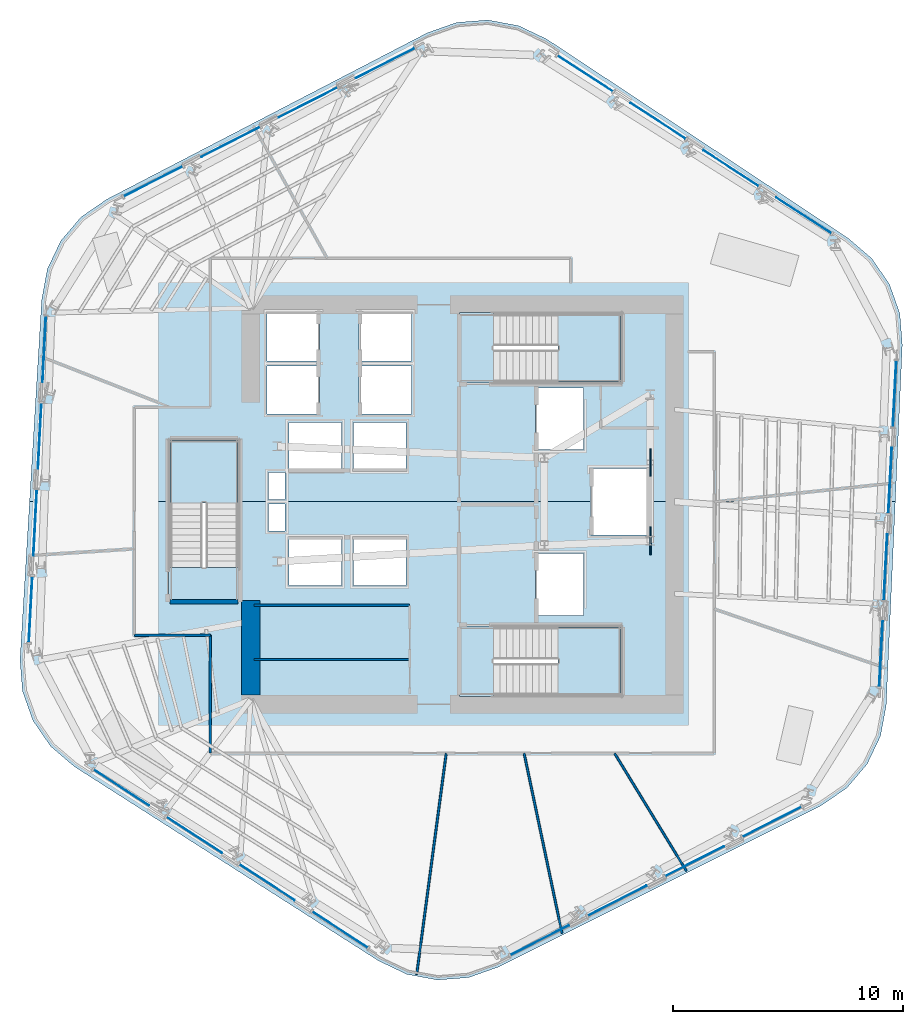
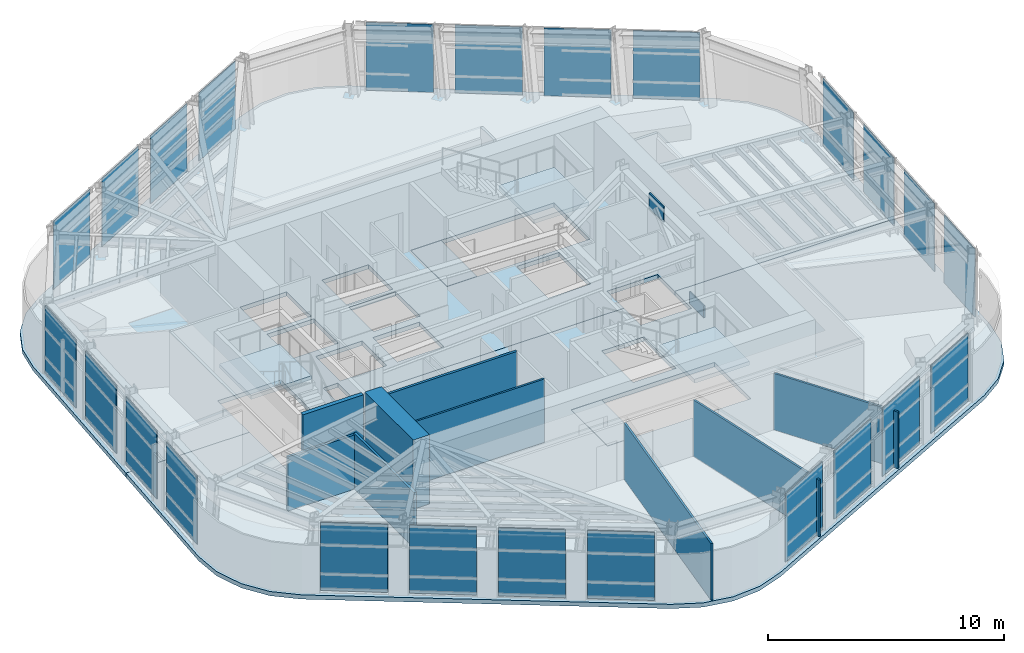
# One storey, part 6 of 14: 26 plates, 9 walls, 8 slabs, 9 elements without a shape of their own.
"""IFC4 building model written with IfcOpenShell, lengths in metres."""

from ifc_helpers import new_model, si_unit, direction, frame, frame_2d, origin, origin_2d, place, context, subcontext, project, spatial, polyline, rectangle, outline, extrude, material, layer, layer_set, type_object, element, aggregate, save


model = new_model("IFC4")

# Units and contexts
model_context = context("Model", 3, precision=1e-05, world=origin(), true_north=direction((0.0, 1.0)))
body_context = subcontext(model_context, "Body", "Model", "MODEL_VIEW")
ifc_project = project(units=[si_unit("LENGTHUNIT", "METRE"), si_unit("AREAUNIT", "SQUARE_METRE"), si_unit("VOLUMEUNIT", "CUBIC_METRE"), si_unit("PLANEANGLEUNIT", "RADIAN"), si_unit("MASSUNIT", "GRAM", prefix="KILO")], contexts=[model_context])

# Site, building, storey
site_placement = place(None, origin())
site = spatial("IfcSite", under=ifc_project, at=site_placement, CompositionType="ELEMENT")
building_placement = place(site_placement, origin())
building = spatial("IfcBuilding", under=site, at=building_placement, Name="Valkerne Bourse Tower", CompositionType="ELEMENT")
storey_placement = place(building_placement, frame((0.0, 0.0, 140.0)))
storey = spatial("IfcBuildingStorey", under=building, at=storey_placement, Name="L35", CompositionType="ELEMENT", Elevation=140.0)

# Curtain wall, plates
ifc_material_1 = material(Name="Aluminium AA 6063-T6", Category="aluminium")
ifc_layer_1 = layer(ifc_material_1, 0.235107421875)
ifc_layer_set_1 = layer_set([ifc_layer_1], Name="Aluminium AA 6063-T6")
curtain_wall_type = type_object("IfcCurtainWallType", Name="CW-03", PredefinedType="NOTDEFINED", material=ifc_layer_set_1)
curtain_wall_1_placement = place(storey_placement, origin())
curtain_wall_1 = element("IfcCurtainWall", 1, at=curtain_wall_1_placement, inside=storey, type_object=curtain_wall_type, Name="L35 Hexagonal Stick Curtain Wall Face 1", PredefinedType="NOTDEFINED")
ifc_material_2 = material(Name="Glass IGU Low-E Double Glazed", Category="glass")
ifc_layer_2 = layer(ifc_material_2, 0.031982421875)
ifc_layer_set_2 = layer_set([ifc_layer_2], Name="Glass IGU Low-E Double Glazed")
plate_type_1 = type_object("IfcPlateType", Name="CW-PNL-IGU-32", PredefinedType="CURTAIN_PANEL", material=ifc_layer_set_2)
plate_1_placement = place(storey_placement, frame((61.610595703125, 39.420654296875, 0.030029296875), z_axis=(0.0, 0.0, 1.0), x_axis=(-0.838668314411, 0.544642505137, 0.0)))
plate_1 = element("IfcPlate", 2, at=plate_1_placement, type_object=plate_type_1, Name="CW-L35-F1 Curtain Panel 00", PredefinedType="CURTAIN_PANEL", context=body_context, shape_type="SweptSolid", body=[
    extrude(rectangle(XDim=2.85107421875, YDim=0.031982421875, at=origin_2d()), origin(), (0.0, 0.0, 1.0), 3.52001953125),
])
plate_2_placement = place(storey_placement, frame((58.447998046875, 41.474365234375, 0.030029296875), z_axis=(0.0, 0.0, 1.0), x_axis=(-0.838672561028, 0.544635965924, 0.0)))
plate_2 = element("IfcPlate", 3, at=plate_2_placement, type_object=plate_type_1, Name="CW-L35-F1 Curtain Panel 01", PredefinedType="CURTAIN_PANEL", context=body_context, shape_type="SweptSolid", body=[
    extrude(rectangle(XDim=2.850830078125, YDim=0.031982421875, at=origin_2d()), origin(), (0.0, 0.0, 1.0), 3.52001953125),
])
plate_3_placement = place(storey_placement, frame((55.285400390625, 43.5283203125, 0.030029296875), z_axis=(0.0, 0.0, 1.0), x_axis=(-0.838672561028, 0.544635965924, 0.0)))
plate_3 = element("IfcPlate", 4, at=plate_3_placement, type_object=plate_type_1, Name="CW-L35-F1 Curtain Panel 02", PredefinedType="CURTAIN_PANEL", context=body_context, shape_type="SweptSolid", body=[
    extrude(rectangle(XDim=2.850830078125, YDim=0.031982421875, at=origin_2d()), origin(), (0.0, 0.0, 1.0), 3.52001953125),
])
plate_4_placement = place(storey_placement, frame((52.122802734375, 45.58203125, 0.030029296875), z_axis=(0.0, 0.0, 1.0), x_axis=(-0.838660448128, 0.544654617851, 0.0)))
plate_4 = element("IfcPlate", 5, at=plate_4_placement, type_object=plate_type_1, Name="CW-L35-F1 Curtain Panel 03", PredefinedType="CURTAIN_PANEL", context=body_context, shape_type="SweptSolid", body=[
    extrude(rectangle(XDim=2.85107421875, YDim=0.031982421875, at=origin_2d()), origin(), (0.0, 0.0, 1.0), 3.52001953125),
])
aggregate(curtain_wall_1, [plate_1, plate_2, plate_3, plate_4])

curtain_wall_2_placement = place(storey_placement, origin())
curtain_wall_2 = element("IfcCurtainWall", 6, at=curtain_wall_2_placement, inside=storey, type_object=curtain_wall_type, Name="L35 Hexagonal Stick Curtain Wall Face 2", PredefinedType="NOTDEFINED")
plate_5_placement = place(storey_placement, frame((43.44873046875, 46.03662109375, 0.030029296875), z_axis=(0.0, 0.0, 1.0), x_axis=(-0.891007115267, -0.453989339681, 0.0)))
plate_5 = element("IfcPlate", 7, at=plate_5_placement, type_object=plate_type_1, Name="CW-L35-F2 Curtain Panel 00", PredefinedType="CURTAIN_PANEL", context=body_context, shape_type="SweptSolid", body=[
    extrude(rectangle(XDim=2.85107421875, YDim=0.031982421875, at=origin_2d()), origin(), (0.0, 0.0, 1.0), 3.52001953125),
])
plate_6_placement = place(storey_placement, frame((40.0888671875, 44.32470703125, 0.030029296875), z_axis=(0.0, 0.0, 1.0), x_axis=(-0.891007115267, -0.453989339681, 0.0)))
plate_6 = element("IfcPlate", 8, at=plate_6_placement, type_object=plate_type_1, Name="CW-L35-F2 Curtain Panel 01", PredefinedType="CURTAIN_PANEL", context=body_context, shape_type="SweptSolid", body=[
    extrude(rectangle(XDim=2.85107421875, YDim=0.031982421875, at=origin_2d()), origin(), (0.0, 0.0, 1.0), 3.52001953125),
])
plate_7_placement = place(storey_placement, frame((36.728759765625, 42.61279296875, 0.030029296875), z_axis=(0.0, 0.0, 1.0), x_axis=(-0.891001649528, -0.454000066671, 0.0)))
plate_7 = element("IfcPlate", 9, at=plate_7_placement, type_object=plate_type_1, Name="CW-L35-F2 Curtain Panel 02", PredefinedType="CURTAIN_PANEL", context=body_context, shape_type="SweptSolid", body=[
    extrude(rectangle(XDim=2.850830078125, YDim=0.031982421875, at=origin_2d()), origin(), (0.0, 0.0, 1.0), 3.52001953125),
])
plate_8_placement = place(storey_placement, frame((33.368896484375, 40.900634765625, 0.030029296875), z_axis=(0.0, 0.0, 1.0), x_axis=(-0.891007115267, -0.453989339681, 0.0)))
plate_8 = element("IfcPlate", 10, at=plate_8_placement, type_object=plate_type_1, Name="CW-L35-F2 Curtain Panel 03", PredefinedType="CURTAIN_PANEL", context=body_context, shape_type="SweptSolid", body=[
    extrude(rectangle(XDim=2.85107421875, YDim=0.031982421875, at=origin_2d()), origin(), (0.0, 0.0, 1.0), 3.52001953125),
])
aggregate(curtain_wall_2, [plate_5, plate_6, plate_7, plate_8])

curtain_wall_3_placement = place(storey_placement, origin())
curtain_wall_3 = element("IfcCurtainWall", 11, at=curtain_wall_3_placement, inside=storey, type_object=curtain_wall_type, Name="L35 Hexagonal Stick Curtain Wall Face 3", PredefinedType="NOTDEFINED")
plate_9_placement = place(storey_placement, frame((28.63818359375, 33.6162109375, 0.030029296875), z_axis=(0.0, 0.0, 1.0), x_axis=(-0.052347270988, -0.99862894171, 0.0)))
plate_9 = element("IfcPlate", 12, at=plate_9_placement, type_object=plate_type_1, Name="CW-L35-F3 Curtain Panel 00", PredefinedType="CURTAIN_PANEL", context=body_context, shape_type="SweptSolid", body=[
    extrude(rectangle(XDim=2.85107421875, YDim=0.031982421875, at=origin_2d()), origin(), (0.0, 0.0, 1.0), 3.52001953125),
])
plate_10_placement = place(storey_placement, frame((28.44091796875, 29.850341796875, 0.030029296875), z_axis=(0.0, 0.0, 1.0), x_axis=(-0.052345884761, -0.998629014374, 0.0)))
plate_10 = element("IfcPlate", 13, at=plate_10_placement, type_object=plate_type_1, Name="CW-L35-F3 Curtain Panel 01", PredefinedType="CURTAIN_PANEL", context=body_context, shape_type="SweptSolid", body=[
    extrude(rectangle(XDim=2.85107421875, YDim=0.031982421875, at=origin_2d()), origin(), (0.0, 0.0, 1.0), 3.52001953125),
])
plate_11_placement = place(storey_placement, frame((28.243408203125, 26.08447265625, 0.030029296875), z_axis=(0.0, 0.0, 1.0), x_axis=(-0.052320825223, -0.998630327623, 0.0)))
plate_11 = element("IfcPlate", 14, at=plate_11_placement, type_object=plate_type_1, Name="CW-L35-F3 Curtain Panel 02", PredefinedType="CURTAIN_PANEL", context=body_context, shape_type="SweptSolid", body=[
    extrude(rectangle(XDim=2.85107421875, YDim=0.031982421875, at=origin_2d()), origin(), (0.0, 0.0, 1.0), 3.52001953125),
])
plate_12_placement = place(storey_placement, frame((28.046142578125, 22.318603515625, 0.030029296875), z_axis=(0.0, 0.0, 1.0), x_axis=(-0.052347270988, -0.99862894171, 0.0)))
plate_12 = element("IfcPlate", 15, at=plate_12_placement, type_object=plate_type_1, Name="CW-L35-F3 Curtain Panel 03", PredefinedType="CURTAIN_PANEL", context=body_context, shape_type="SweptSolid", body=[
    extrude(rectangle(XDim=2.85107421875, YDim=0.031982421875, at=origin_2d()), origin(), (0.0, 0.0, 1.0), 3.52001953125),
])
aggregate(curtain_wall_3, [plate_9, plate_10, plate_11, plate_12])

curtain_wall_4_placement = place(storey_placement, origin())
curtain_wall_4 = element("IfcCurtainWall", 16, at=curtain_wall_4_placement, inside=storey, type_object=curtain_wall_type, Name="L35 Hexagonal Stick Curtain Wall Face 4", PredefinedType="NOTDEFINED")
plate_13_placement = place(storey_placement, frame((31.989501953125, 14.579345703125, 0.030029296875), z_axis=(0.0, 0.0, 1.0), x_axis=(0.838668314411, -0.544642505137, 0.0)))
plate_13 = element("IfcPlate", 17, at=plate_13_placement, type_object=plate_type_1, Name="CW-L35-F4 Curtain Panel 00", PredefinedType="CURTAIN_PANEL", context=body_context, shape_type="SweptSolid", body=[
    extrude(rectangle(XDim=2.85107421875, YDim=0.031982421875, at=origin_2d()), origin(), (0.0, 0.0, 1.0), 3.52001953125),
])
plate_14_placement = place(storey_placement, frame((35.152099609375, 12.525390625, 0.030029296875), z_axis=(0.0, 0.0, 1.0), x_axis=(0.838672561028, -0.544635965924, 0.0)))
plate_14 = element("IfcPlate", 18, at=plate_14_placement, type_object=plate_type_1, Name="CW-L35-F4 Curtain Panel 01", PredefinedType="CURTAIN_PANEL", context=body_context, shape_type="SweptSolid", body=[
    extrude(rectangle(XDim=2.850830078125, YDim=0.031982421875, at=origin_2d()), origin(), (0.0, 0.0, 1.0), 3.52001953125),
])
plate_15_placement = place(storey_placement, frame((38.314697265625, 10.4716796875, 0.030029296875), z_axis=(0.0, 0.0, 1.0), x_axis=(0.838672561028, -0.544635965924, 0.0)))
plate_15 = element("IfcPlate", 19, at=plate_15_placement, type_object=plate_type_1, Name="CW-L35-F4 Curtain Panel 02", PredefinedType="CURTAIN_PANEL", context=body_context, shape_type="SweptSolid", body=[
    extrude(rectangle(XDim=2.850830078125, YDim=0.031982421875, at=origin_2d()), origin(), (0.0, 0.0, 1.0), 3.52001953125),
])
plate_16_placement = place(storey_placement, frame((41.477294921875, 8.41796875, 0.030029296875), z_axis=(0.0, 0.0, 1.0), x_axis=(0.838660448128, -0.544654617851, 0.0)))
plate_16 = element("IfcPlate", 20, at=plate_16_placement, type_object=plate_type_1, Name="CW-L35-F4 Curtain Panel 03", PredefinedType="CURTAIN_PANEL", context=body_context, shape_type="SweptSolid", body=[
    extrude(rectangle(XDim=2.85107421875, YDim=0.031982421875, at=origin_2d()), origin(), (0.0, 0.0, 1.0), 3.52001953125),
])
aggregate(curtain_wall_4, [plate_13, plate_14, plate_15, plate_16])

curtain_wall_5_placement = place(storey_placement, origin())
curtain_wall_5 = element("IfcCurtainWall", 21, at=curtain_wall_5_placement, inside=storey, type_object=curtain_wall_type, Name="L35 Hexagonal Stick Curtain Wall Face 5", PredefinedType="NOTDEFINED")
plate_17_placement = place(storey_placement, frame((50.1513671875, 7.96337890625, 0.030029296875), z_axis=(0.0, 0.0, 1.0), x_axis=(0.891007115267, 0.453989339681, 0.0)))
plate_17 = element("IfcPlate", 22, at=plate_17_placement, type_object=plate_type_1, Name="CW-L35-F5 Curtain Panel 00", PredefinedType="CURTAIN_PANEL", context=body_context, shape_type="SweptSolid", body=[
    extrude(rectangle(XDim=2.85107421875, YDim=0.031982421875, at=origin_2d()), origin(), (0.0, 0.0, 1.0), 3.52001953125),
])
plate_18_placement = place(storey_placement, frame((53.51123046875, 9.67529296875, 0.030029296875), z_axis=(0.0, 0.0, 1.0), x_axis=(0.891007115267, 0.453989339681, 0.0)))
plate_18 = element("IfcPlate", 23, at=plate_18_placement, type_object=plate_type_1, Name="CW-L35-F5 Curtain Panel 01", PredefinedType="CURTAIN_PANEL", context=body_context, shape_type="SweptSolid", body=[
    extrude(rectangle(XDim=2.85107421875, YDim=0.031982421875, at=origin_2d()), origin(), (0.0, 0.0, 1.0), 3.52001953125),
])
plate_19_placement = place(storey_placement, frame((56.87109375, 11.38720703125, 0.030029296875), z_axis=(0.0, 0.0, 1.0), x_axis=(0.891001649528, 0.454000066671, 0.0)))
plate_19 = element("IfcPlate", 24, at=plate_19_placement, type_object=plate_type_1, Name="CW-L35-F5 Curtain Panel 02", PredefinedType="CURTAIN_PANEL", context=body_context, shape_type="SweptSolid", body=[
    extrude(rectangle(XDim=2.850830078125, YDim=0.031982421875, at=origin_2d()), origin(), (0.0, 0.0, 1.0), 3.52001953125),
])
plate_20_placement = place(storey_placement, frame((60.231201171875, 13.099365234375, 0.030029296875), z_axis=(0.0, 0.0, 1.0), x_axis=(0.891007115267, 0.453989339681, 0.0)))
plate_20 = element("IfcPlate", 25, at=plate_20_placement, type_object=plate_type_1, Name="CW-L35-F5 Curtain Panel 03", PredefinedType="CURTAIN_PANEL", context=body_context, shape_type="SweptSolid", body=[
    extrude(rectangle(XDim=2.85107421875, YDim=0.031982421875, at=origin_2d()), origin(), (0.0, 0.0, 1.0), 3.52001953125),
])
aggregate(curtain_wall_5, [plate_17, plate_18, plate_19, plate_20])

curtain_wall_6_placement = place(storey_placement, origin())
curtain_wall_6 = element("IfcCurtainWall", 26, at=curtain_wall_6_placement, inside=storey, type_object=curtain_wall_type, Name="L35 Hexagonal Stick Curtain Wall Face 6", PredefinedType="NOTDEFINED")
plate_21_placement = place(storey_placement, frame((64.9619140625, 20.3837890625, 0.030029296875), z_axis=(0.0, 0.0, 1.0), x_axis=(0.052347270988, 0.99862894171, 0.0)))
plate_21 = element("IfcPlate", 27, at=plate_21_placement, type_object=plate_type_1, Name="CW-L35-F6 Curtain Panel 00", PredefinedType="CURTAIN_PANEL", context=body_context, shape_type="SweptSolid", body=[
    extrude(rectangle(XDim=2.85107421875, YDim=0.031982421875, at=origin_2d()), origin(), (0.0, 0.0, 1.0), 3.52001953125),
])
plate_22_placement = place(storey_placement, frame((65.1591796875, 24.149658203125, 0.030029296875), z_axis=(0.0, 0.0, 1.0), x_axis=(0.052345884761, 0.998629014374, 0.0)))
plate_22 = element("IfcPlate", 28, at=plate_22_placement, type_object=plate_type_1, Name="CW-L35-F6 Curtain Panel 01", PredefinedType="CURTAIN_PANEL", context=body_context, shape_type="SweptSolid", body=[
    extrude(rectangle(XDim=2.85107421875, YDim=0.031982421875, at=origin_2d()), origin(), (0.0, 0.0, 1.0), 3.52001953125),
])
plate_23_placement = place(storey_placement, frame((65.356689453125, 27.91552734375, 0.030029296875), z_axis=(0.0, 0.0, 1.0), x_axis=(0.052320825223, 0.998630327623, 0.0)))
plate_23 = element("IfcPlate", 29, at=plate_23_placement, type_object=plate_type_1, Name="CW-L35-F6 Curtain Panel 02", PredefinedType="CURTAIN_PANEL", context=body_context, shape_type="SweptSolid", body=[
    extrude(rectangle(XDim=2.85107421875, YDim=0.031982421875, at=origin_2d()), origin(), (0.0, 0.0, 1.0), 3.52001953125),
])
plate_24_placement = place(storey_placement, frame((65.553955078125, 31.681396484375, 0.030029296875), z_axis=(0.0, 0.0, 1.0), x_axis=(0.052347270988, 0.99862894171, 0.0)))
plate_24 = element("IfcPlate", 30, at=plate_24_placement, type_object=plate_type_1, Name="CW-L35-F6 Curtain Panel 03", PredefinedType="CURTAIN_PANEL", context=body_context, shape_type="SweptSolid", body=[
    extrude(rectangle(XDim=2.85107421875, YDim=0.031982421875, at=origin_2d()), origin(), (0.0, 0.0, 1.0), 3.52001953125),
])
aggregate(curtain_wall_6, [plate_21, plate_22, plate_23, plate_24])

# Plates
ifc_material_3 = material(Name="Steel ASTM A572 Grade 50", Category="steel")
ifc_layer_3 = layer(ifc_material_3, 0.06005859375)
ifc_layer_set_3 = layer_set([ifc_layer_3], Name="Steel ASTM A572 Grade 50")
plate_type_2 = type_object("IfcPlateType", Name="PLT-GUS-60", PredefinedType="SHEET", material=ifc_layer_set_3)
for number, where, z_axis, x_axis, name in (
    (31, (54.949951171875, 25.300048828125, -0.18017578125), (0.0, 0.0, 1.0), (0.0, 1.0, 0.0), "L35 Brace Node Gusset Plate PLT-GUS-END-L35-386"),
    (32, (54.949951171875, 28.699951171875, 2.8740234375), (0.0, 0.0, 1.0), (0.0, 1.0, 0.0), "L35 Brace Node Gusset Plate PLT-GUS-END-L35-387"),
):
    element("IfcPlate", number, at=place(storey_placement, frame(where, z_axis=z_axis, x_axis=x_axis)), inside=storey, type_object=plate_type_2, Name=name, PredefinedType="SHEET", context=body_context, shape_type="SweptSolid", body=[
        extrude(rectangle(XDim=1.199951171875, YDim=0.06005859375, at=origin_2d()), origin(), (0.0, 0.0, 1.0), 0.800048828125),
    ])

# Slabs
ifc_material_4 = material(Name="Concrete C40/50", Category="concrete")
ifc_layer_4 = layer(ifc_material_4, 0.25)
ifc_layer_set_4 = layer_set([ifc_layer_4], Name="Concrete C40/50")
slab_type_1 = type_object("IfcSlabType", Name="SLB-RMP-LND-250", PredefinedType="LANDING", material=ifc_layer_set_4)
slab_1_placement = place(storey_placement, frame((0.0, 0.0, -0.219970703125)))
element("IfcSlab", 33, at=slab_1_placement, inside=storey, type_object=slab_type_1, Name="L35 ST-1 Floor Landing Slab", PredefinedType="LANDING", context=body_context, shape_type="SweptSolid", body=[
    extrude(outline(polyline([(46.669921875, 18.5400390625), (48.14990234375, 18.5400390625), (48.14990234375, 21.610107421875), (46.669921875, 21.610107421875), (46.669921875, 18.5400390625)])), origin(), (0.0, 0.0, 1.0), 0.219970703125),
])
slab_2_placement = place(storey_placement, frame((0.0, 0.0, -0.219970703125)))
element("IfcSlab", 34, at=slab_2_placement, inside=storey, type_object=slab_type_1, Name="L35 ST-2 Floor Landing Slab", PredefinedType="LANDING", context=body_context, shape_type="SweptSolid", body=[
    extrude(outline(polyline([(46.669921875, 32.139892578125), (48.14990234375, 32.139892578125), (48.14990234375, 35.2099609375), (46.669921875, 35.2099609375), (46.669921875, 32.139892578125)])), origin(), (0.0, 0.0, 1.0), 0.219970703125),
])
slab_3_placement = place(storey_placement, frame((0.0, 0.0, -0.219970703125)))
element("IfcSlab", 35, at=slab_3_placement, inside=storey, type_object=slab_type_1, Name="L35 ST-3 Floor Landing Slab", PredefinedType="LANDING", context=body_context, shape_type="SweptSolid", body=[
    extrude(outline(polyline([(37.110107421875, 22.669921875), (37.110107421875, 24.14990234375), (34.0400390625, 24.14990234375), (34.0400390625, 22.669921875), (37.110107421875, 22.669921875)])), origin(), (0.0, 0.0, 1.0), 0.219970703125),
])

# Stair, slab
stair_type = type_object("IfcStairType", Name="ST-CORE-1400", PredefinedType="HALF_TURN_STAIR", material=ifc_material_4)
stair_1_placement = place(storey_placement, origin())
stair_1 = element("IfcStair", 36, at=stair_1_placement, inside=storey, type_object=stair_type, Name="L35 ST-1", PredefinedType="HALF_TURN_STAIR")
ifc_layer_5 = layer(ifc_material_4, 0.179931640625)
ifc_layer_set_5 = layer_set([ifc_layer_5], Name="Concrete C40/50")
slab_type_2 = type_object("IfcSlabType", Name="SLB-ST-LND-180", PredefinedType="LANDING", material=ifc_layer_set_5)
slab_4_placement = place(storey_placement, frame((0.0, 0.0, 1.699951171875)))
slab_4 = element("IfcSlab", 37, at=slab_4_placement, type_object=slab_type_2, Name="ST-1 landing 1", PredefinedType="LANDING", context=body_context, shape_type="SweptSolid", body=[
    extrude(outline(polyline([(50.949951171875, 18.60009765625), (53.64990234375, 18.60009765625), (53.64990234375, 21.550048828125), (50.949951171875, 21.550048828125), (50.949951171875, 18.60009765625)])), origin(), (0.0, 0.0, 1.0), 0.199951171875),
])
aggregate(stair_1, [slab_4])

stair_2_placement = place(storey_placement, origin())
stair_2 = element("IfcStair", 38, at=stair_2_placement, inside=storey, type_object=stair_type, Name="L35 ST-2", PredefinedType="HALF_TURN_STAIR")
slab_5_placement = place(storey_placement, frame((0.0, 0.0, 1.699951171875)))
slab_5 = element("IfcSlab", 39, at=slab_5_placement, type_object=slab_type_2, Name="ST-2 landing 1", PredefinedType="LANDING", context=body_context, shape_type="SweptSolid", body=[
    extrude(outline(polyline([(50.949951171875, 32.199951171875), (53.64990234375, 32.199951171875), (53.64990234375, 35.14990234375), (50.949951171875, 35.14990234375), (50.949951171875, 32.199951171875)])), origin(), (0.0, 0.0, 1.0), 0.199951171875),
])
aggregate(stair_2, [slab_5])

stair_3_placement = place(storey_placement, origin())
stair_3 = element("IfcStair", 40, at=stair_3_placement, inside=storey, type_object=stair_type, Name="L35 ST-3", PredefinedType="HALF_TURN_STAIR")
slab_6_placement = place(storey_placement, frame((0.0, 0.0, 1.699951171875)))
slab_6 = element("IfcSlab", 41, at=slab_6_placement, type_object=slab_type_2, Name="ST-3 landing 1", PredefinedType="LANDING", context=body_context, shape_type="SweptSolid", body=[
    extrude(outline(polyline([(37.050048828125, 26.949951171875), (37.050048828125, 29.64990234375), (34.10009765625, 29.64990234375), (34.10009765625, 26.949951171875), (37.050048828125, 26.949951171875)])), origin(), (0.0, 0.0, 1.0), 0.199951171875),
])
aggregate(stair_3, [slab_6])

# Slabs
ifc_layer_6 = layer(ifc_material_4, 0.219970703125)
ifc_layer_set_6 = layer_set([ifc_layer_6], Name="Concrete C40/50")
slab_type_3 = type_object("IfcSlabType", Name="SLB-TOW-220", PredefinedType="FLOOR", material=ifc_layer_set_6)
slab_7_placement = place(storey_placement, frame((0.0, 0.0, -0.219970703125)))
element("IfcSlab", 42, at=slab_7_placement, inside=storey, type_object=slab_type_3, Name="L35 Hexagonal Composite Floor Slab S", PredefinedType="FLOOR", context=body_context, shape_type="SweptSolid", body=[
    extrude(outline(polyline([(64.9423828125, 16.822998046875), (64.35791015625, 15.59765625), (63.476318359375, 14.5654296875), (62.357666015625, 13.796630859375), (48.344482421875, 6.79248046875), (47.06494140625, 6.33935546875), (45.711669921875, 6.23291015625), (44.376953125, 6.480224609375), (43.151611328125, 7.064697265625), (29.947509765625, 15.4951171875), (28.915283203125, 16.376708984375), (28.146240234375, 17.49560546875), (27.693115234375, 18.775146484375), (27.586669921875, 20.12841796875), (28.0, 27.0), (34.034912109375, 27.0), (34.034912109375, 22.6650390625), (37.114990234375, 22.6650390625), (37.114990234375, 27.0), (52.360107421875, 27.0), (52.360107421875, 25.56005859375), (54.840087890625, 25.56005859375), (54.840087890625, 27.0), (65.584716796875, 27.0), (65.189697265625, 18.15771484375), (64.9423828125, 16.822998046875)]), holes=[polyline([(41.5400390625, 25.43994140625), (39.260009765625, 25.43994140625), (39.260009765625, 23.360107421875), (41.5400390625, 23.360107421875), (41.5400390625, 25.43994140625)]), polyline([(44.340087890625, 25.43994140625), (42.06005859375, 25.43994140625), (42.06005859375, 23.360107421875), (44.340087890625, 23.360107421875), (44.340087890625, 25.43994140625)]), polyline([(39.10009765625, 26.89990234375), (38.3798828125, 26.89990234375), (38.3798828125, 25.72998046875), (39.10009765625, 25.72998046875), (39.10009765625, 26.89990234375)]), polyline([(53.675048828125, 21.614990234375), (46.6650390625, 21.614990234375), (46.6650390625, 18.534912109375), (53.675048828125, 18.534912109375), (53.675048828125, 21.614990234375)]), polyline([(52.0400390625, 24.739990234375), (49.9599609375, 24.739990234375), (49.9599609375, 22.06005859375), (52.0400390625, 22.06005859375), (52.0400390625, 24.739990234375)])]), origin(), (0.0, 0.0, 1.0), 0.219970703125),
])
slab_8_placement = place(storey_placement, frame((0.0, 0.0, -0.219970703125)))
element("IfcSlab", 43, at=slab_8_placement, inside=storey, type_object=slab_type_3, Name="L35 Hexagonal Composite Floor Slab N", PredefinedType="FLOOR", context=body_context, shape_type="SweptSolid", body=[
    extrude(outline(polyline([(28.527587890625, 35.76611328125), (28.77490234375, 37.100830078125), (29.359375, 38.326171875), (30.240966796875, 39.3583984375), (31.359619140625, 40.127197265625), (45.2626953125, 47.34716796875), (46.54248046875, 47.80029296875), (47.895751953125, 47.906982421875), (49.23046875, 47.659423828125), (50.455810546875, 47.0751953125), (63.52783203125, 38.44140625), (64.56005859375, 37.559814453125), (65.3291015625, 36.44091796875), (65.781982421875, 35.161376953125), (65.888671875, 33.80810546875), (65.584716796875, 27.0), (54.840087890625, 27.0), (54.840087890625, 28.43994140625), (52.360107421875, 28.43994140625), (52.360107421875, 27.0), (37.114990234375, 27.0), (37.114990234375, 29.675048828125), (34.034912109375, 29.675048828125), (34.034912109375, 27.0), (28.0, 27.0), (28.527587890625, 35.76611328125)]), holes=[polyline([(39.10009765625, 28.27001953125), (38.3798828125, 28.27001953125), (38.3798828125, 27.10009765625), (39.10009765625, 27.10009765625), (39.10009765625, 28.27001953125)]), polyline([(41.5400390625, 30.43994140625), (39.260009765625, 30.43994140625), (39.260009765625, 28.360107421875), (41.5400390625, 28.360107421875), (41.5400390625, 30.43994140625)]), polyline([(40.590087890625, 32.889892578125), (38.31005859375, 32.889892578125), (38.31005859375, 30.81005859375), (40.590087890625, 30.81005859375), (40.590087890625, 32.889892578125)]), polyline([(40.590087890625, 35.18994140625), (38.31005859375, 35.18994140625), (38.31005859375, 33.110107421875), (40.590087890625, 33.110107421875), (40.590087890625, 35.18994140625)]), polyline([(44.340087890625, 30.43994140625), (42.06005859375, 30.43994140625), (42.06005859375, 28.360107421875), (44.340087890625, 28.360107421875), (44.340087890625, 30.43994140625)]), polyline([(52.0400390625, 31.93994140625), (49.9599609375, 31.93994140625), (49.9599609375, 29.260009765625), (52.0400390625, 29.260009765625), (52.0400390625, 31.93994140625)]), polyline([(44.590087890625, 32.889892578125), (42.31005859375, 32.889892578125), (42.31005859375, 30.81005859375), (44.590087890625, 30.81005859375), (44.590087890625, 32.889892578125)]), polyline([(53.675048828125, 35.215087890625), (46.6650390625, 35.215087890625), (46.6650390625, 32.135009765625), (53.675048828125, 32.135009765625), (53.675048828125, 35.215087890625)]), polyline([(44.590087890625, 35.18994140625), (42.31005859375, 35.18994140625), (42.31005859375, 33.110107421875), (44.590087890625, 33.110107421875), (44.590087890625, 35.18994140625)])]), origin(), (0.0, 0.0, 1.0), 0.219970703125),
])

# Walls
ifc_material_5 = material(Name="Concrete C55/67", Category="concrete")
ifc_layer_7 = layer(ifc_material_5, 0.800048828125)
ifc_layer_set_7 = layer_set([ifc_layer_7], Name="Concrete C55/67")
wall_type_1 = type_object("IfcWallType", Name="W-CORE-800", PredefinedType="SHEAR", material=ifc_layer_set_7)
wall_1_placement = place(storey_placement, frame((37.60009765625, 18.60009765625, 0.0), z_axis=(0.0, 0.0, 1.0), x_axis=(0.0, 1.0, 0.0)))
element("IfcWall", 44, at=wall_1_placement, inside=storey, type_object=wall_type_1, Name="L35 Core Shear Wall WEST-S", PredefinedType="SHEAR", context=body_context, shape_type="SweptSolid", body=[
    extrude(rectangle(XDim=4.099853515625, YDim=0.800048828125, at=frame_2d((2.0498046875, 0.0))), origin(), (0.0, 0.0, 1.0), 3.580078125),
])
ifc_material_6 = material(Name="Gypsum Board Steel-Stud Partition", Category="steel")
ifc_layer_8 = layer(ifc_material_6, 0.117919921875)
ifc_layer_set_8 = layer_set([ifc_layer_8], Name="Gypsum Board Steel-Stud Partition")
wall_type_2 = type_object("IfcWallType", Name="W-CORR-140", PredefinedType="PARTITIONING", material=ifc_layer_set_8)
wall_2_placement = place(storey_placement, frame((37.75, 22.5, 0.0), z_axis=(0.0, 0.0, 1.0), x_axis=(1.0, 0.0, 0.0)))
element("IfcWall", 45, at=wall_2_placement, inside=storey, type_object=wall_type_2, Name="L35 LV7 Low-Bank North Wall", PredefinedType="PARTITIONING", context=body_context, shape_type="SweptSolid", body=[
    extrude(rectangle(XDim=6.75, YDim=0.117919921875, at=frame_2d((3.375, 0.0))), origin(), (0.0, 0.0, 1.0), 3.280029296875),
])
wall_3_placement = place(storey_placement, frame((35.85009765625, 16.080078125, 0.0), z_axis=(0.0, 0.0, 1.0), x_axis=(0.0, 1.0, 0.0)))
element("IfcWall", 46, at=wall_3_placement, inside=storey, type_object=wall_type_2, Name="L35 Corridor Enclosure Wall", PredefinedType="PARTITIONING", context=body_context, shape_type="SweptSolid", body=[
    extrude(rectangle(XDim=5.119873046875, YDim=0.117919921875, at=frame_2d((2.56005859375, 0.0))), origin(), (0.0, 0.0, 1.0), 2.876708984375),
])
wall_4_placement = place(storey_placement, frame((35.85009765625, 21.199951171875, 0.0), z_axis=(0.0, 0.0, 1.0), x_axis=(-1.0, 0.0, 0.0)))
element("IfcWall", 47, at=wall_4_placement, inside=storey, type_object=wall_type_2, Name="L35 Corridor Enclosure Wall", PredefinedType="PARTITIONING", context=body_context, shape_type="SweptSolid", body=[
    extrude(rectangle(XDim=3.300048828125, YDim=0.117919921875, at=frame_2d((1.64990234375, 0.0))), origin(), (0.0, 0.0, 1.0), 2.80029296875),
])
ifc_layer_9 = layer(ifc_material_6, 0.092041015625)
ifc_layer_set_9 = layer_set([ifc_layer_9], Name="Gypsum Board Steel-Stud Partition")
wall_type_3 = type_object("IfcWallType", Name="W-PART-115", PredefinedType="PARTITIONING", material=ifc_layer_set_9)
wall_5_placement = place(storey_placement, frame((37.75, 20.14990234375, 0.0), z_axis=(0.0, 0.0, 1.0), x_axis=(1.0, 0.0, 0.0)))
element("IfcWall", 48, at=wall_5_placement, inside=storey, type_object=wall_type_3, Name="L35 LV7 Low-Bank Sub-Divider", PredefinedType="PARTITIONING", context=body_context, shape_type="SweptSolid", body=[
    extrude(rectangle(XDim=6.75, YDim=0.092041015625, at=frame_2d((3.375, 0.0))), origin(), (0.0, 0.0, 1.0), 3.280029296875),
])
wall_6_placement = place(storey_placement, frame((46.089111328125, 16.074951171875, 0.0), z_axis=(0.0, 0.0, 1.0), x_axis=(-0.132271008818, -0.991213589609, 0.0)))
element("IfcWall", 49, at=wall_6_placement, inside=storey, type_object=wall_type_3, Name="L35 Suite Partition P01", PredefinedType="PARTITIONING", context=body_context, shape_type="SweptSolid", body=[
    extrude(rectangle(XDim=9.6884765625, YDim=0.092041015625, at=frame_2d((4.84423828125, 0.0))), origin(), (0.0, 0.0, 1.0), 2.92236328125),
])
wall_7_placement = place(storey_placement, frame((49.470458984375, 16.074951171875, 0.0), z_axis=(0.0, 0.0, 1.0), x_axis=(0.206201440711, -0.978509563494, 0.0)))
element("IfcWall", 50, at=wall_7_placement, inside=storey, type_object=wall_type_3, Name="L35 Suite Partition P02", PredefinedType="PARTITIONING", context=body_context, shape_type="SweptSolid", body=[
    extrude(rectangle(XDim=7.989501953125, YDim=0.092041015625, at=frame_2d((3.99462890625, 0.0))), origin(), (0.0, 0.0, 1.0), 2.92236328125),
])
wall_8_placement = place(storey_placement, frame((53.397216796875, 16.074951171875, 0.0), z_axis=(0.0, 0.0, 1.0), x_axis=(0.521020043573, -0.853544441839, 0.0)))
element("IfcWall", 51, at=wall_8_placement, inside=storey, type_object=wall_type_3, Name="L35 Suite Partition P03", PredefinedType="PARTITIONING", context=body_context, shape_type="SweptSolid", body=[
    extrude(rectangle(XDim=5.99560546875, YDim=0.092041015625, at=frame_2d((2.997802734375, 0.0))), origin(), (0.0, 0.0, 1.0), 2.92236328125),
])
ifc_layer_10 = layer(ifc_material_4, 0.199951171875)
ifc_layer_set_10 = layer_set([ifc_layer_10], Name="Concrete C40/50")
wall_type_4 = type_object("IfcWallType", Name="W-SHF-200", PredefinedType="SHEAR", material=ifc_layer_set_10)
wall_9_placement = place(storey_placement, frame((34.10009765625, 22.64990234375, 0.0), z_axis=(0.0, 0.0, 1.0), x_axis=(1.0, 0.0, 0.0)))
element("IfcWall", 52, at=wall_9_placement, inside=storey, type_object=wall_type_4, Name="L35 Exit Stair ST-3 Structural Shaft Wall South", PredefinedType="SHEAR", context=body_context, shape_type="SweptSolid", body=[
    extrude(rectangle(XDim=2.949951171875, YDim=0.199951171875, at=frame_2d((1.47509765625, 0.0))), origin(), (0.0, 0.0, 1.0), 3.580078125),
])

save(model, "model.ifc")
